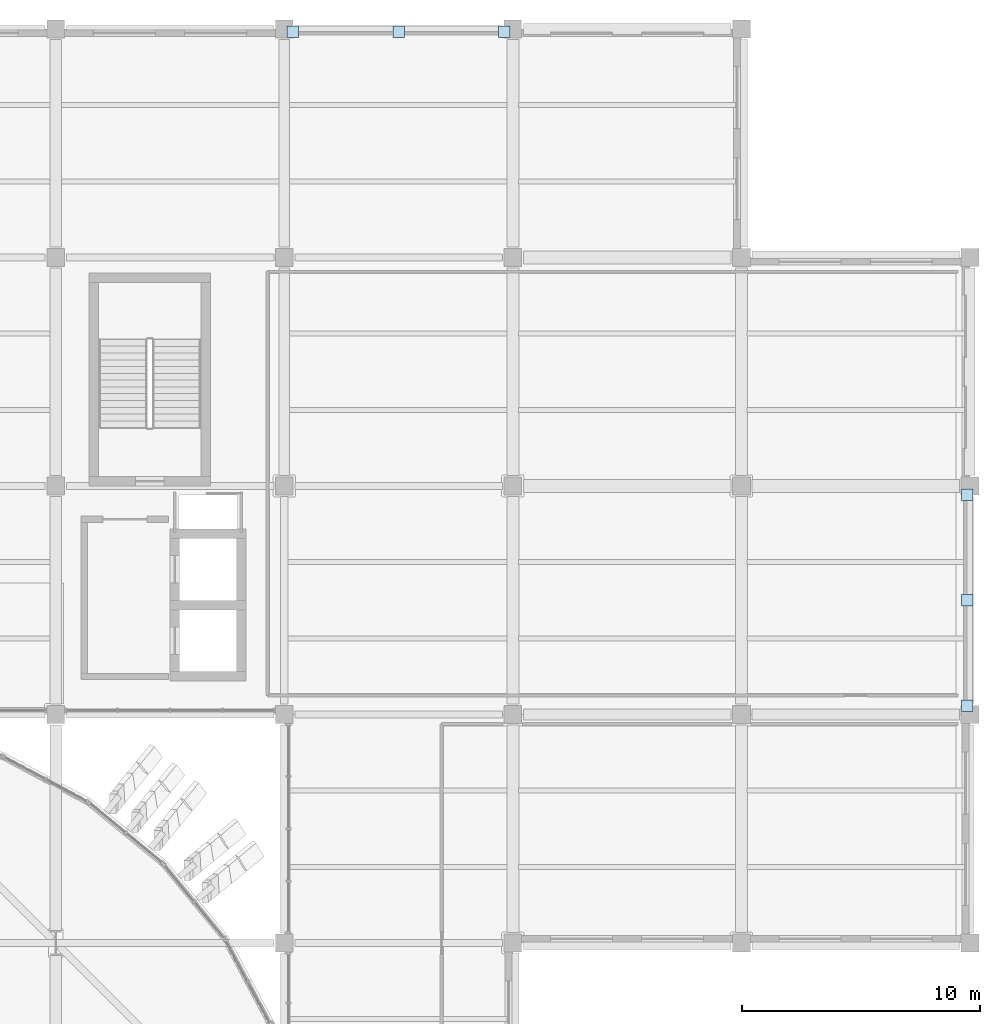
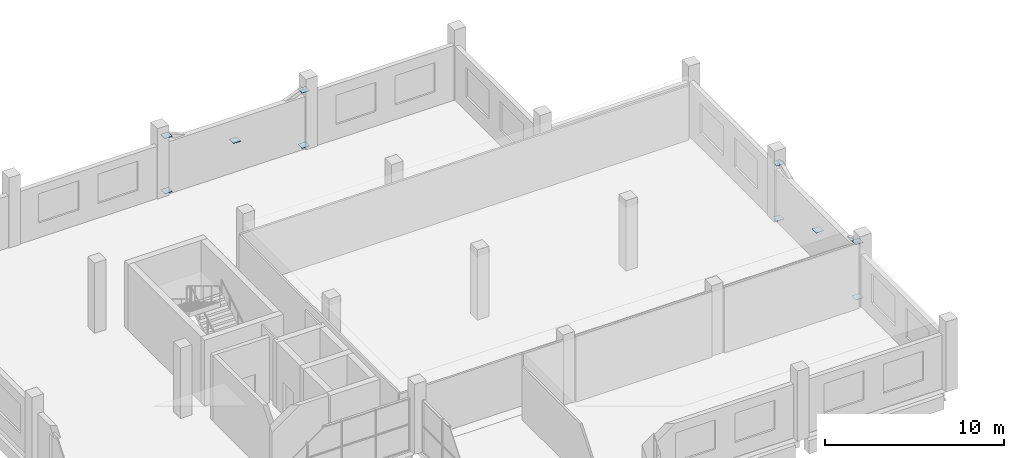
# One storey, part 47 of 100: 10 plates.
"""IFC4 building model written with IfcOpenShell, lengths in metres."""

from ifc_helpers import new_model, si_unit, direction, frame, origin, origin_2d, place, context, subcontext, project, spatial, rectangle, extrude, material, layer, layer_set, type_object, element, save


model = new_model("IFC4")

# Units and contexts
model_context = context("Model", 3, precision=1e-05, world=origin(), true_north=direction((0.0, 1.0)))
body_context = subcontext(model_context, "Body", "Model", "MODEL_VIEW")
ifc_project = project(units=[si_unit("LENGTHUNIT", "METRE"), si_unit("AREAUNIT", "SQUARE_METRE"), si_unit("VOLUMEUNIT", "CUBIC_METRE"), si_unit("PLANEANGLEUNIT", "RADIAN"), si_unit("MASSUNIT", "GRAM", prefix="KILO")], contexts=[model_context])

# Site, building, storey
site_placement = place(None, origin())
site = spatial("IfcSite", under=ifc_project, at=site_placement, CompositionType="ELEMENT")
building_placement = place(site_placement, origin())
building = spatial("IfcBuilding", under=site, at=building_placement, Name="Caelomonte Colonnade Arena", CompositionType="ELEMENT")
storey_placement = place(building_placement, origin())
storey = spatial("IfcBuildingStorey", under=building, at=storey_placement, Name="L00", CompositionType="ELEMENT", Elevation=0.0)

# Plates
ifc_material = material(Name="Steel ASTM A572 Grade 50", Category="steel")
ifc_layer = layer(ifc_material, 0.02490234375)
ifc_layer_set = layer_set([ifc_layer], Name="Steel ASTM A572 Grade 50")
plate_type = type_object("IfcPlateType", Name="STR-PL-PN01", PredefinedType="USERDEFINED", material=ifc_layer_set)
for number, where, z_axis, x_axis, name in (
    (1, (168.0, 143.885009765625, 2.03759765625), (0.0, 0.0, 1.0), (1.0, 0.0, 0.0), "Braced frame BF3 L00 gusset plate X"),
    (2, (163.56005859375, 143.885009765625, 0.1474609375), (0.0, 0.0, 1.0), (1.0, 0.0, 0.0), "Braced frame BF3 L00 gusset plate BL"),
    (3, (172.43994140625, 143.885009765625, 0.1474609375), (0.0, 0.0, 1.0), (1.0, 0.0, 0.0), "Braced frame BF3 L00 gusset plate BR"),
    (4, (163.56005859375, 143.885009765625, 3.927490234375), (0.0, 0.0, 1.0), (1.0, 0.0, 0.0), "Braced frame BF3 L00 gusset plate TL"),
    (5, (172.43994140625, 143.885009765625, 3.927490234375), (0.0, 0.0, 1.0), (1.0, 0.0, 0.0), "Braced frame BF3 L00 gusset plate TR"),
    (6, (191.885009765625, 120.0, 2.03759765625), (0.0, 0.0, 1.0), (1.0, 0.0, 0.0), "Braced frame BF4 L00 gusset plate X"),
    (7, (191.885009765625, 115.56005859375, 0.1474609375), (0.0, 0.0, 1.0), (1.0, 0.0, 0.0), "Braced frame BF4 L00 gusset plate BL"),
    (8, (191.885009765625, 124.43994140625, 0.1474609375), (0.0, 0.0, 1.0), (1.0, 0.0, 0.0), "Braced frame BF4 L00 gusset plate BR"),
    (9, (191.885009765625, 115.56005859375, 3.927490234375), (0.0, 0.0, 1.0), (1.0, 0.0, 0.0), "Braced frame BF4 L00 gusset plate TL"),
    (10, (191.885009765625, 124.43994140625, 3.927490234375), (0.0, 0.0, 1.0), (1.0, 0.0, 0.0), "Braced frame BF4 L00 gusset plate TR"),
):
    element("IfcPlate", number, at=place(storey_placement, frame(where, z_axis=z_axis, x_axis=x_axis)), inside=storey, type_object=plate_type, Name=name, ObjectType="GUSSET PLATE", PredefinedType="USERDEFINED", context=body_context, shape_type="SweptSolid", body=[
        extrude(rectangle(XDim=0.47998046875, YDim=0.47998046875, at=origin_2d()), origin(), (0.0, 0.0, 1.0), 0.02490234375),
    ])

save(model, "model.ifc")
